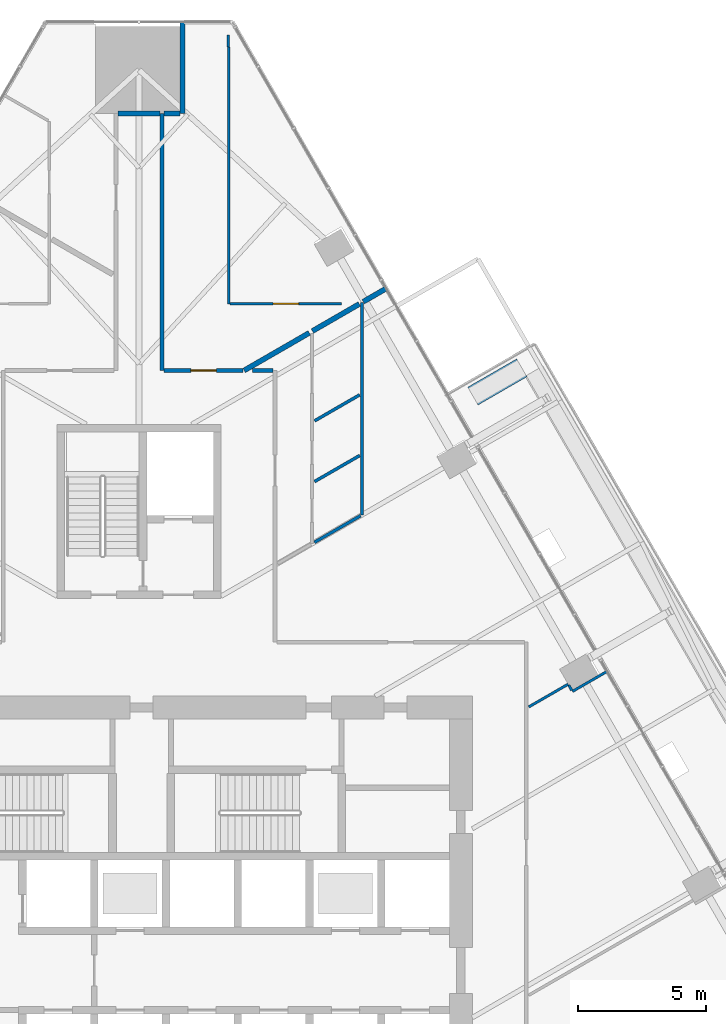
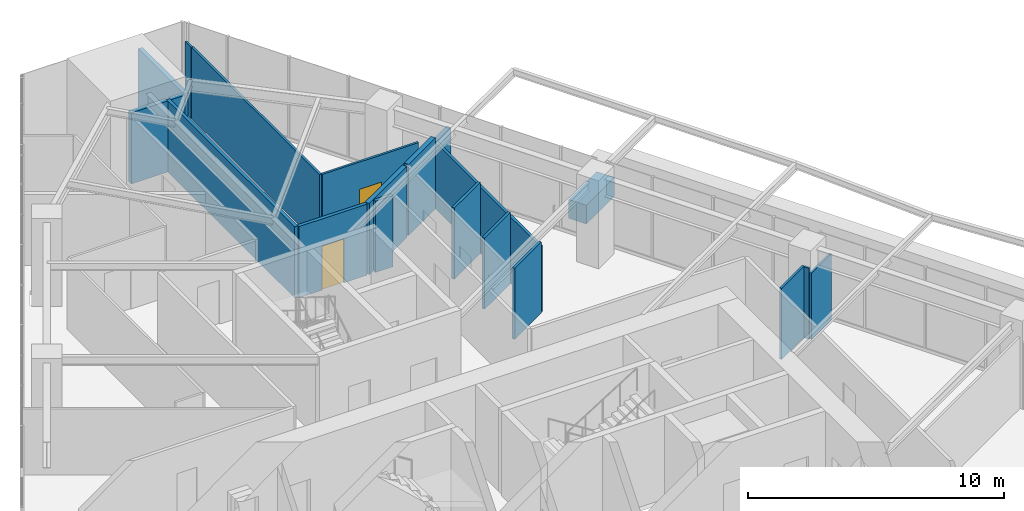
# One storey, part 25 of 29: 20 walls, 2 doors, 2 openings.
"""IFC4 building model written with IfcOpenShell, lengths in metres."""

from ifc_helpers import new_model, si_unit, direction, frame, frame_2d, origin, place, context, subcontext, project, spatial, rectangle, extrude, material, layer, layer_set, type_object, element, fill, save


model = new_model("IFC4")

# Units and contexts
model_context = context("Model", 3, precision=1e-05, world=origin(), true_north=direction((0.0, 1.0)))
body_context = subcontext(model_context, "Body", "Model", "MODEL_VIEW")
ifc_project = project(units=[si_unit("LENGTHUNIT", "METRE"), si_unit("AREAUNIT", "SQUARE_METRE"), si_unit("VOLUMEUNIT", "CUBIC_METRE"), si_unit("PLANEANGLEUNIT", "RADIAN"), si_unit("MASSUNIT", "GRAM", prefix="KILO")], contexts=[model_context])

# Site, building, storey
site_placement = place(None, origin())
site = spatial("IfcSite", under=ifc_project, at=site_placement, CompositionType="ELEMENT")
building_placement = place(site_placement, origin())
building = spatial("IfcBuilding", under=site, at=building_placement, Name="Firuza Gate Tower and Library", CompositionType="ELEMENT")
storey_placement = place(building_placement, frame((0.0, 0.0, 48.39990234375)))
storey = spatial("IfcBuildingStorey", under=building, at=storey_placement, Name="L10", CompositionType="ELEMENT", Elevation=48.39990234375)

# Wall, opening, door
ifc_material_1 = material(Name="Gypsum board partition")
ifc_layer_1 = layer(ifc_material_1, 0.14990234375)
ifc_layer_set_1 = layer_set([ifc_layer_1], Name="Corridor wall 150 double board on steel studs")
wall_type_1 = type_object("IfcWallType", Name="Corridor wall 150 double board on steel studs", PredefinedType="PARTITIONING", material=ifc_layer_set_1)
wall_1_placement = place(storey_placement, frame((75.97509765625, 96.699951171875, 0.0), z_axis=(0.0, 0.0, 1.0), x_axis=(1.0, 0.0, 0.0)))
wall_1 = element("IfcWall", 1, at=wall_1_placement, inside=storey, type_object=wall_type_1, Name="f:L10:w007", PredefinedType="PARTITIONING", context=body_context, shape_type="SweptSolid", body=[
    extrude(rectangle(XDim=3.081787109375, YDim=0.14990234375, at=frame_2d((1.541015625, 0.0))), origin(), (0.0, 0.0, 1.0), 3.400146484375),
])
opening_1_placement = place(wall_1_placement, frame((1.041015625, 0.0, 0.0)))
opening_1 = element("IfcOpeningElement", 2, at=opening_1_placement, cuts=wall_1, Name="Opening L10-08", PredefinedType="OPENING", context=body_context, shape_type="SweptSolid", body=[
    extrude(rectangle(XDim=1.0, YDim=2.10009765625, at=frame_2d((0.5, 1.050048828125))), frame((0.0, 0.0849609375, 0.0), z_axis=(0.0, -1.0, 0.0), x_axis=(1.0, 0.0, 0.0)), (0.0, 0.0, 1.0), 0.169921875),
])
ifc_material_2 = material(Name="Steel door and timber leaf", Category="steel")
door_type_1 = type_object("IfcDoorType", Name="Fire door 1000 x 2100 steel frame, timber leaf", OperationType="NOTDEFINED", PredefinedType="DOOR", material=ifc_material_2)
door_1_placement = place(opening_1_placement, origin())
door_1 = element("IfcDoor", 3, at=door_1_placement, inside=storey, type_object=door_type_1, Name="f:L10:d008", OperationType="SINGLE_SWING_LEFT", OverallHeight=2.10009765625, OverallWidth=1.0, PredefinedType="DOOR", context=body_context, shape_type="SweptSolid", body=[
    extrude(rectangle(XDim=1.0, YDim=2.10009765625, at=frame_2d((0.5, 1.050048828125))), frame((0.0, 0.02490234375, 0.0), z_axis=(0.0, -1.0, 0.0), x_axis=(1.0, 0.0, 0.0)), (0.0, 0.0, 1.0), 0.050048828125),
])
fill(opening_1, door_1)

# Walls
wall_2_placement = place(storey_placement, frame((75.89990234375, 96.699951171875, 0.0), z_axis=(0.0, 0.0, 1.0), x_axis=(0.0, 1.0, 0.0)))
element("IfcWall", 4, at=wall_2_placement, inside=storey, type_object=wall_type_1, Name="f:L10:w039", PredefinedType="PARTITIONING", context=body_context, shape_type="SweptSolid", body=[
    extrude(rectangle(XDim=10.020263671875, YDim=0.14990234375, at=frame_2d((5.01025390625, 0.0))), origin(), (0.0, 0.0, 1.0), 3.400146484375),
])
wall_3_placement = place(storey_placement, frame((79.42919921875, 96.699951171875, 0.0), z_axis=(0.0, 0.0, 1.0), x_axis=(1.0, 0.0, 0.0)))
element("IfcWall", 5, at=wall_3_placement, inside=storey, type_object=wall_type_1, Name="f:L10:w070", PredefinedType="PARTITIONING", context=body_context, shape_type="SweptSolid", body=[
    extrude(rectangle(XDim=0.7958984375, YDim=0.14990234375, at=frame_2d((0.39794921875, 0.0))), origin(), (0.0, 0.0, 1.0), 3.400146484375),
])
ifc_material_3 = material(Name="Gypsum board partition")
ifc_layer_2 = layer(ifc_material_3, 0.199951171875)
ifc_layer_set_2 = layer_set([ifc_layer_2], Name="Demising wall 200 acoustic double stud")
wall_type_2 = type_object("IfcWallType", Name="Demising wall 200 acoustic double stud", PredefinedType="PARTITIONING", material=ifc_layer_set_2)
wall_4_placement = place(storey_placement, frame((74.175537109375, 106.719970703125, 0.0), z_axis=(0.0, 0.0, 1.0), x_axis=(1.0, 0.0, 0.0)))
element("IfcWall", 6, at=wall_4_placement, inside=storey, type_object=wall_type_2, Name="f:L10:w010", PredefinedType="PARTITIONING", context=body_context, shape_type="SweptSolid", body=[
    extrude(rectangle(XDim=1.6494140625, YDim=0.199951171875, at=frame_2d((0.82470703125, 0.0))), origin(), (0.0, 0.0, 1.0), 3.397216796875),
])
wall_5_placement = place(storey_placement, frame((79.10009765625, 96.700439453125, 0.0), z_axis=(0.0, 0.0, 1.0), x_axis=(0.866031706645, 0.499989082967, 0.0)))
element("IfcWall", 7, at=wall_5_placement, inside=storey, type_object=wall_type_2, Name="f:L10:w026", PredefinedType="PARTITIONING", context=body_context, shape_type="SweptSolid", body=[
    extrude(rectangle(XDim=2.9326171875, YDim=0.199951171875, at=frame_2d((1.46630859375, 0.0))), origin(), (0.0, 0.0, 1.0), 3.400146484375),
])
wall_6_placement = place(storey_placement, frame((76.699951171875, 106.720703125, 0.0), z_axis=(0.0, 0.0, 1.0), x_axis=(0.0, 1.0, 0.0)))
element("IfcWall", 8, at=wall_6_placement, inside=storey, type_object=wall_type_2, Name="f:L10:w038", PredefinedType="PARTITIONING", context=body_context, shape_type="SweptSolid", body=[
    extrude(rectangle(XDim=3.5595703125, YDim=0.199951171875, at=frame_2d((1.77978515625, 0.0))), origin(), (0.0, 0.0, 1.0), 3.400146484375),
])
wall_7_placement = place(storey_placement, frame((75.97509765625, 106.719970703125, 0.0), z_axis=(0.0, 0.0, 1.0), x_axis=(1.0, 0.0, 0.0)))
element("IfcWall", 9, at=wall_7_placement, inside=storey, type_object=wall_type_2, Name="f:L10:w071", PredefinedType="PARTITIONING", context=body_context, shape_type="SweptSolid", body=[
    extrude(rectangle(XDim=0.62451171875, YDim=0.199951171875, at=frame_2d((0.312255859375, 0.0))), origin(), (0.0, 0.0, 1.0), 3.400146484375),
])
wall_8_placement = place(storey_placement, frame((83.744873046875, 99.382080078125, 0.0), z_axis=(0.0, 0.0, 1.0), x_axis=(0.866062461731, 0.499935808259, 0.0)))
element("IfcWall", 10, at=wall_8_placement, inside=storey, type_object=wall_type_2, Name="f:L10:w075", PredefinedType="PARTITIONING", context=body_context, shape_type="SweptSolid", body=[
    extrude(rectangle(XDim=1.023681640625, YDim=0.199951171875, at=frame_2d((0.51171875, 0.0))), origin(), (0.0, 0.0, 1.0), 3.1650390625),
])
wall_9_placement = place(storey_placement, frame((81.76025390625, 98.236328125, 0.0), z_axis=(0.0, 0.0, 1.0), x_axis=(0.866037425094, 0.499979177903, 0.0)))
element("IfcWall", 11, at=wall_9_placement, inside=storey, type_object=wall_type_2, Name="f:L10:w080", PredefinedType="PARTITIONING", context=body_context, shape_type="SweptSolid", body=[
    extrude(rectangle(XDim=2.11279296875, YDim=0.199951171875, at=frame_2d((1.056396484375, 0.0))), origin(), (0.0, 0.0, 1.0), 3.400146484375),
])

# Wall, opening, door
ifc_material_4 = material(Name="Gypsum board partition")
ifc_layer_3 = layer(ifc_material_4, 0.10009765625)
ifc_layer_set_3 = layer_set([ifc_layer_3], Name="Partition 100 gypsum board on steel studs")
wall_type_3 = type_object("IfcWallType", Name="Partition 100 gypsum board on steel studs", PredefinedType="PARTITIONING", material=ifc_layer_set_3)
wall_10_placement = place(storey_placement, frame((78.550537109375, 99.300048828125, 0.0), z_axis=(0.0, 0.0, 1.0), x_axis=(1.0, 0.0, 0.0)))
wall_10 = element("IfcWall", 12, at=wall_10_placement, inside=storey, type_object=wall_type_3, Name="f:L10:w009", PredefinedType="PARTITIONING", context=body_context, shape_type="SweptSolid", body=[
    extrude(rectangle(XDim=4.349365234375, YDim=0.10009765625, at=frame_2d((2.1748046875, 0.0))), origin(), (0.0, 0.0, 1.0), 3.400146484375),
])
opening_2_placement = place(wall_10_placement, frame((1.6748046875, 0.0, 0.0)))
opening_2 = element("IfcOpeningElement", 13, at=opening_2_placement, cuts=wall_10, Name="Opening L10-10", PredefinedType="OPENING", context=body_context, shape_type="SweptSolid", body=[
    extrude(rectangle(XDim=1.0, YDim=2.10009765625, at=frame_2d((0.5, 1.050048828125))), frame((0.0, 0.06005859375, 0.0), z_axis=(0.0, -1.0, 0.0), x_axis=(1.0, 0.0, 0.0)), (0.0, 0.0, 1.0), 0.1201171875),
])
ifc_material_5 = material(Name="Timber door", Category="wood")
door_type_2 = type_object("IfcDoorType", Name="Door 1000 x 2100 timber leaf", OperationType="NOTDEFINED", PredefinedType="DOOR", material=ifc_material_5)
door_2_placement = place(opening_2_placement, origin())
door_2 = element("IfcDoor", 14, at=door_2_placement, inside=storey, type_object=door_type_2, Name="f:L10:d010", OperationType="SINGLE_SWING_RIGHT", OverallHeight=2.10009765625, OverallWidth=1.0, PredefinedType="DOOR", context=body_context, shape_type="SweptSolid", body=[
    extrude(rectangle(XDim=1.0, YDim=2.10009765625, at=frame_2d((0.5, 1.050048828125))), frame((0.0, 0.02490234375, 0.0), z_axis=(0.0, -1.0, 0.0), x_axis=(1.0, 0.0, 0.0)), (0.0, 0.0, 1.0), 0.050048828125),
])
fill(opening_2, door_2)

# Walls
wall_11_placement = place(storey_placement, frame((91.902099609375, 84.18115234375, 0.0), z_axis=(0.0, 0.0, 1.0), x_axis=(0.866018739521, 0.500011542666, 0.0)))
element("IfcWall", 15, at=wall_11_placement, inside=storey, type_object=wall_type_3, Name="f:L10:w018", PredefinedType="PARTITIONING", context=body_context, shape_type="SweptSolid", body=[
    extrude(rectangle(XDim=1.5595703125, YDim=0.10009765625, at=frame_2d((0.77978515625, 0.0))), origin(), (0.0, 0.0, 1.0), 3.1650390625),
])
wall_12_placement = place(storey_placement, frame((90.201171875, 83.57666015625, 0.0), z_axis=(0.0, 0.0, 1.0), x_axis=(0.866016025414, 0.500016243463, 0.0)))
element("IfcWall", 16, at=wall_12_placement, inside=storey, type_object=wall_type_3, Name="f:L10:w019", PredefinedType="PARTITIONING", context=body_context, shape_type="SweptSolid", body=[
    extrude(rectangle(XDim=1.7744140625, YDim=0.10009765625, at=frame_2d((0.88720703125, 0.0))), origin(), (0.0, 0.0, 1.0), 3.400146484375),
])
wall_13_placement = place(storey_placement, frame((78.5, 99.300537109375, 0.0), z_axis=(0.0, 0.0, 1.0), x_axis=(0.0, 1.0, 0.0)))
element("IfcWall", 17, at=wall_13_placement, inside=storey, type_object=wall_type_3, Name="f:L10:w036", PredefinedType="PARTITIONING", context=body_context, shape_type="SweptSolid", body=[
    extrude(rectangle(XDim=10.019775390625, YDim=0.10009765625, at=frame_2d((5.009765625, 0.0))), origin(), (0.0, 0.0, 1.0), 3.400146484375),
])
wall_14_placement = place(storey_placement, frame((78.48095703125, 109.32080078125, 0.0), z_axis=(0.0, 0.0, 1.0), x_axis=(0.0, 1.0, 0.0)))
element("IfcWall", 18, at=wall_14_placement, inside=storey, type_object=wall_type_3, Name="f:L10:w037", PredefinedType="PARTITIONING", context=body_context, shape_type="SweptSolid", body=[
    extrude(rectangle(XDim=0.47265625, YDim=0.10009765625, at=frame_2d((0.236328125, 0.0))), origin(), (0.0, 0.0, 1.0), 3.400146484375),
])
wall_15_placement = place(storey_placement, frame((91.876708984375, 84.224853515625, 0.0), z_axis=(0.0, 0.0, 1.0), x_axis=(-0.500313526201, 0.865844313662, 0.0)))
element("IfcWall", 19, at=wall_15_placement, inside=storey, type_object=wall_type_3, Name="f:L10:w054", PredefinedType="PARTITIONING", context=body_context, shape_type="SweptSolid", body=[
    extrude(rectangle(XDim=0.226318359375, YDim=0.10009765625, at=frame_2d((0.11328125, 0.0))), origin(), (0.0, 0.0, 1.0), 3.400146484375),
])
ifc_material_6 = material(Name="Concrete C40/50", Category="concrete")
ifc_layer_4 = layer(ifc_material_6, 0.800048828125)
ifc_layer_set_4 = layer_set([ifc_layer_4], Name="Planter wall 800")
wall_type_4 = type_object("IfcWallType", Name="Planter wall 800", PredefinedType="SOLIDWALL", material=ifc_layer_set_4)
wall_16_placement = place(storey_placement, frame((89.927001953125, 96.801513671875, 0.0), z_axis=(0.0, 0.0, 1.0), x_axis=(-0.866008176907, -0.50002983664, 0.0)))
element("IfcWall", 20, at=wall_16_placement, inside=storey, type_object=wall_type_4, Name="PLANTER L10 5", PredefinedType="SOLIDWALL", context=body_context, shape_type="SweptSolid", body=[
    extrude(rectangle(XDim=2.199951171875, YDim=0.800048828125, at=frame_2d((1.10009765625, 0.0))), origin(), (0.0, 0.0, 1.0), 0.900146484375),
])
ifc_material_7 = material(Name="Gypsum board partition")
ifc_layer_5 = layer(ifc_material_7, 0.1201171875)
ifc_layer_set_5 = layer_set([ifc_layer_5], Name="Wet-area partition 120 moisture-resistant board")
wall_type_5 = type_object("IfcWallType", Name="Wet-area partition 120 moisture-resistant board", PredefinedType="PARTITIONING", material=ifc_layer_set_5)
wall_17_placement = place(storey_placement, frame((81.8447265625, 92.3662109375, 0.0), z_axis=(0.0, 0.0, 1.0), x_axis=(0.866069607179, 0.499923429657, 0.0)))
element("IfcWall", 21, at=wall_17_placement, inside=storey, type_object=wall_type_5, Name="f:L10:w024", PredefinedType="PARTITIONING", context=body_context, shape_type="SweptSolid", body=[
    extrude(rectangle(XDim=2.032958984375, YDim=0.1201171875, at=frame_2d((1.0166015625, 0.0))), origin(), (0.0, 0.0, 1.0), 3.400146484375),
])
wall_18_placement = place(storey_placement, frame((81.8447265625, 94.733154296875, 0.0), z_axis=(0.0, 0.0, 1.0), x_axis=(0.866017611601, 0.500013496215, 0.0)))
element("IfcWall", 22, at=wall_18_placement, inside=storey, type_object=wall_type_5, Name="f:L10:w025", PredefinedType="PARTITIONING", context=body_context, shape_type="SweptSolid", body=[
    extrude(rectangle(XDim=2.033203125, YDim=0.1201171875, at=frame_2d((1.0166015625, 0.0))), origin(), (0.0, 0.0, 1.0), 3.400146484375),
])
wall_19_placement = place(storey_placement, frame((83.699951171875, 91.0703125, 0.0), z_axis=(0.0, 0.0, 1.0), x_axis=(0.0, 1.0, 0.0)))
element("IfcWall", 23, at=wall_19_placement, inside=storey, type_object=wall_type_5, Name="f:L10:w032", PredefinedType="PARTITIONING", context=body_context, shape_type="SweptSolid", body=[
    extrude(rectangle(XDim=8.285400390625, YDim=0.1201171875, at=frame_2d((4.142578125, 0.0))), origin(), (0.0, 0.0, 1.0), 3.1650390625),
])
wall_20_placement = place(storey_placement, frame((81.840087890625, 89.99609375, 0.0), z_axis=(0.0, 0.0, 1.0), x_axis=(0.866015411258, 0.500017307165, 0.0)))
element("IfcWall", 24, at=wall_20_placement, inside=storey, type_object=wall_type_5, Name="f:L10:w074", PredefinedType="PARTITIONING", context=body_context, shape_type="SweptSolid", body=[
    extrude(rectangle(XDim=2.07861328125, YDim=0.1201171875, at=frame_2d((1.039306640625, 0.0))), origin(), (0.0, 0.0, 1.0), 3.400146484375),
])

save(model, "model.ifc")
